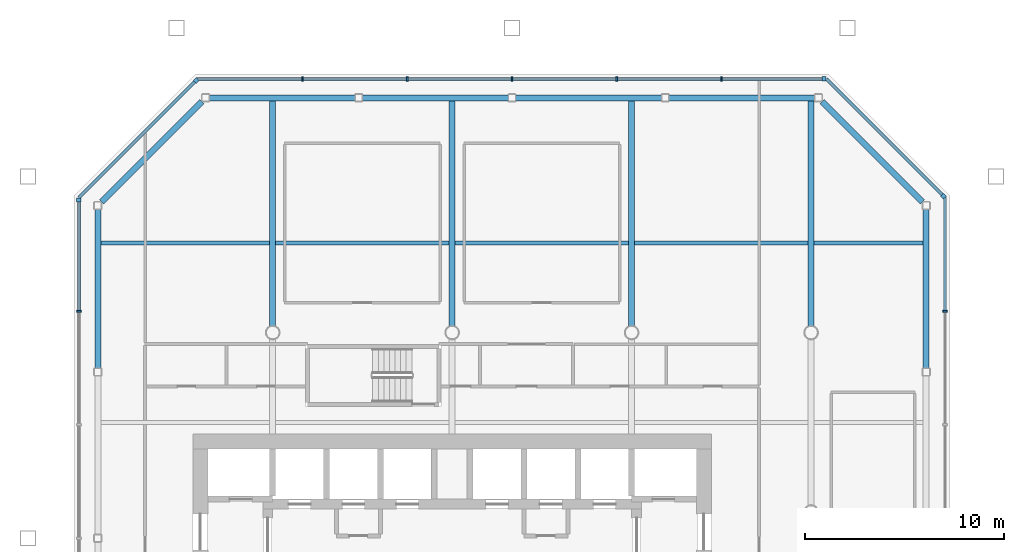
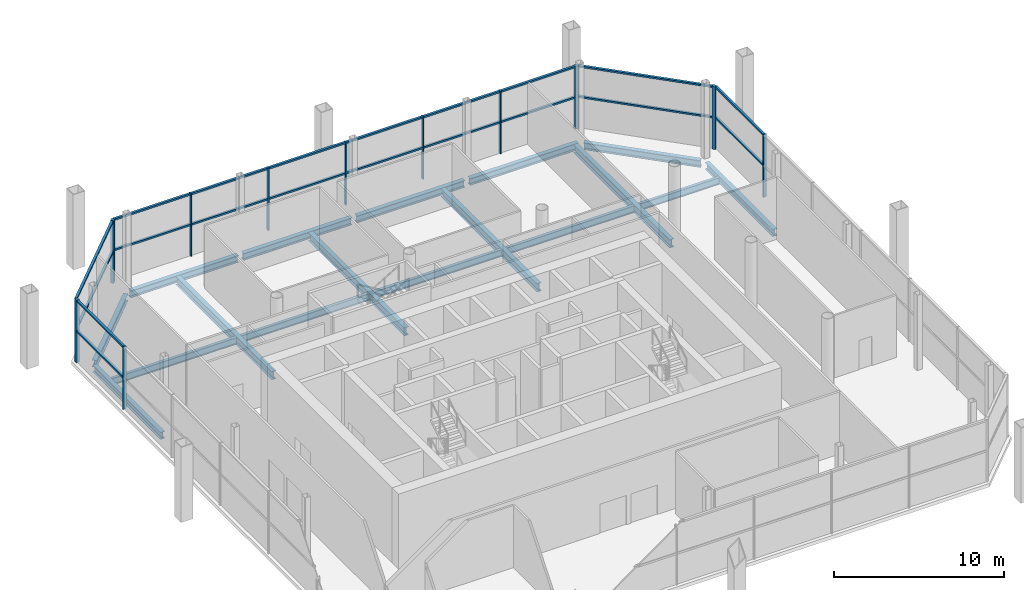
# One storey, part 5 of 12: 31 members, 17 beams, 5 elements without a shape of their own.
"""IFC4 building model written with IfcOpenShell, lengths in metres."""

from ifc_helpers import new_model, si_unit, direction, frame, origin, origin_2d, place, context, subcontext, project, spatial, rectangle, i_section, extrude, material, material_profile, profile_set, type_object, element, aggregate, save


model = new_model("IFC4")

# Units and contexts
model_context = context("Model", 3, precision=1e-05, world=origin(), true_north=direction((0.0, 1.0)))
body_context = subcontext(model_context, "Body", "Model", "MODEL_VIEW")
ifc_project = project(units=[si_unit("LENGTHUNIT", "METRE"), si_unit("AREAUNIT", "SQUARE_METRE"), si_unit("VOLUMEUNIT", "CUBIC_METRE"), si_unit("PLANEANGLEUNIT", "RADIAN"), si_unit("MASSUNIT", "GRAM", prefix="KILO")], contexts=[model_context])

# Site, building, storey
site_placement = place(None, origin())
site = spatial("IfcSite", under=ifc_project, at=site_placement, CompositionType="ELEMENT")
building_placement = place(site_placement, origin())
building = spatial("IfcBuilding", under=site, at=building_placement, Name="Tskaro Facet Tower", CompositionType="ELEMENT")
storey_placement = place(building_placement, frame((0.0, 0.0, 162.300048828125)))
storey = spatial("IfcBuildingStorey", under=building, at=storey_placement, Name="L40", CompositionType="ELEMENT", Elevation=162.300048828125)

# Curtain wall, member
ifc_material_1 = material(Name="Bronze anodised aluminium 6063-T6", Category="aluminium")
curtain_wall_type = type_object("IfcCurtainWallType", Name="Bronze sky lobby curtain wall (FW4)", PredefinedType="NOTDEFINED", material=ifc_material_1)
curtain_wall_1_placement = place(storey_placement, origin())
curtain_wall_1 = element("IfcCurtainWall", 1, at=curtain_wall_1_placement, inside=storey, type_object=curtain_wall_type, Name="FW4 north-east facet L40", PredefinedType="NOTDEFINED")
ifc_material_profile_1 = material_profile(ifc_material_1, rectangle(XDim=0.219970703125, YDim=0.219970703125, at=origin_2d()), Name="Corner post 220x220")
ifc_profile_set_1 = profile_set([ifc_material_profile_1], Name="Bronze anodised aluminium 6063-T6")
member_type_1 = type_object("IfcMemberType", Name="FW4 bronze corner post 220x220", PredefinedType="MULLION", material=ifc_profile_set_1)
member_1_placement = place(storey_placement, frame((24.646240234375, 15.8388671875, 0.0), z_axis=(0.0, 0.0, 1.0), x_axis=(-0.707106781187, 0.707106781187, 0.0)))
member_1 = element("IfcMember", 2, at=member_1_placement, type_object=member_type_1, Name="FW4 north-east corner post", PredefinedType="MULLION", context=body_context, shape_type="SweptSolid", body=[
    extrude(rectangle(XDim=0.219970703125, YDim=0.219970703125, at=origin_2d()), origin(), (0.0, 0.0, 1.0), 4.489990234375),
])

curtain_wall_2_placement = place(storey_placement, origin())
curtain_wall_2 = element("IfcCurtainWall", 3, at=curtain_wall_2_placement, inside=storey, type_object=curtain_wall_type, Name="FW4 north facet L40", PredefinedType="NOTDEFINED")
member_2_placement = place(storey_placement, frame((18.65087890625, 21.72412109375, 0.0), z_axis=(0.0, 0.0, 1.0), x_axis=(-1.0, 0.0, 0.0)))
member_2 = element("IfcMember", 4, at=member_2_placement, type_object=member_type_1, Name="FW4 north corner post", PredefinedType="MULLION", context=body_context, shape_type="SweptSolid", body=[
    extrude(rectangle(XDim=0.219970703125, YDim=0.219970703125, at=origin_2d()), origin(), (0.0, 0.0, 1.0), 4.489990234375),
])

curtain_wall_3_placement = place(storey_placement, origin())
curtain_wall_3 = element("IfcCurtainWall", 5, at=curtain_wall_3_placement, inside=storey, type_object=curtain_wall_type, Name="FW4 north-west facet L40", PredefinedType="NOTDEFINED")
member_3_placement = place(storey_placement, frame((-12.8388671875, 21.646240234375, 0.0), z_axis=(0.0, 0.0, 1.0), x_axis=(-0.707106781187, -0.707106781187, 0.0)))
member_3 = element("IfcMember", 6, at=member_3_placement, type_object=member_type_1, Name="FW4 north-west corner post", PredefinedType="MULLION", context=body_context, shape_type="SweptSolid", body=[
    extrude(rectangle(XDim=0.219970703125, YDim=0.219970703125, at=origin_2d()), origin(), (0.0, 0.0, 1.0), 4.489990234375),
])

curtain_wall_4_placement = place(storey_placement, origin())
curtain_wall_4 = element("IfcCurtainWall", 7, at=curtain_wall_4_placement, inside=storey, type_object=curtain_wall_type, Name="FW4 west facet L40", PredefinedType="NOTDEFINED")
member_4_placement = place(storey_placement, frame((-18.72412109375, 15.65087890625, 0.0), z_axis=(0.0, 0.0, 1.0), x_axis=(0.0, -1.0, 0.0)))
member_4 = element("IfcMember", 8, at=member_4_placement, type_object=member_type_1, Name="FW4 west corner post", PredefinedType="MULLION", context=body_context, shape_type="SweptSolid", body=[
    extrude(rectangle(XDim=0.219970703125, YDim=0.219970703125, at=origin_2d()), origin(), (0.0, 0.0, 1.0), 4.489990234375),
])

curtain_wall_5_placement = place(storey_placement, origin())
curtain_wall_5 = element("IfcCurtainWall", 9, at=curtain_wall_5_placement, inside=storey, type_object=curtain_wall_type, Name="FW4 east facet L40", PredefinedType="NOTDEFINED")
ifc_material_profile_2 = material_profile(ifc_material_1, rectangle(XDim=0.080078125, YDim=0.219970703125, at=origin_2d()), Name="Mullion 80x220")
ifc_profile_set_2 = profile_set([ifc_material_profile_2], Name="Bronze anodised aluminium 6063-T6")
member_type_2 = type_object("IfcMemberType", Name="FW4 bronze mullion 80x220", PredefinedType="MULLION", material=ifc_profile_set_2)
member_5_placement = place(storey_placement, frame((24.72412109375, 10.06884765625, 0.0), z_axis=(0.0, 0.0, 1.0), x_axis=(0.0, 1.0, 0.0)))
member_5 = element("IfcMember", 10, at=member_5_placement, type_object=member_type_2, Name="FW4 east mullion 5", PredefinedType="MULLION", context=body_context, shape_type="SweptSolid", body=[
    extrude(rectangle(XDim=0.080078125, YDim=0.219970703125, at=origin_2d()), origin(), (0.0, 0.0, 1.0), 4.489990234375),
])

# Member
member_6_placement = place(storey_placement, frame((13.50732421875, 21.72412109375, 0.0), z_axis=(0.0, 0.0, 1.0), x_axis=(-1.0, 0.0, 0.0)))
member_6 = element("IfcMember", 11, at=member_6_placement, type_object=member_type_2, Name="FW4 north mullion 1", PredefinedType="MULLION", context=body_context, shape_type="SweptSolid", body=[
    extrude(rectangle(XDim=0.080078125, YDim=0.219970703125, at=origin_2d()), origin(), (0.0, 0.0, 1.0), 4.489990234375),
])

member_7_placement = place(storey_placement, frame((8.253662109375, 21.72412109375, 0.0), z_axis=(0.0, 0.0, 1.0), x_axis=(-1.0, 0.0, 0.0)))
member_7 = element("IfcMember", 12, at=member_7_placement, type_object=member_type_2, Name="FW4 north mullion 2", PredefinedType="MULLION", context=body_context, shape_type="SweptSolid", body=[
    extrude(rectangle(XDim=0.080078125, YDim=0.219970703125, at=origin_2d()), origin(), (0.0, 0.0, 1.0), 4.489990234375),
])

member_8_placement = place(storey_placement, frame((3.0, 21.72412109375, 0.0), z_axis=(0.0, 0.0, 1.0), x_axis=(-1.0, 0.0, 0.0)))
member_8 = element("IfcMember", 13, at=member_8_placement, type_object=member_type_2, Name="FW4 north mullion 3", PredefinedType="MULLION", context=body_context, shape_type="SweptSolid", body=[
    extrude(rectangle(XDim=0.080078125, YDim=0.219970703125, at=origin_2d()), origin(), (0.0, 0.0, 1.0), 4.489990234375),
])

member_9_placement = place(storey_placement, frame((-2.253662109375, 21.72412109375, 0.0), z_axis=(0.0, 0.0, 1.0), x_axis=(-1.0, 0.0, 0.0)))
member_9 = element("IfcMember", 14, at=member_9_placement, type_object=member_type_2, Name="FW4 north mullion 4", PredefinedType="MULLION", context=body_context, shape_type="SweptSolid", body=[
    extrude(rectangle(XDim=0.080078125, YDim=0.219970703125, at=origin_2d()), origin(), (0.0, 0.0, 1.0), 4.489990234375),
])

member_10_placement = place(storey_placement, frame((-7.50732421875, 21.72412109375, 0.0), z_axis=(0.0, 0.0, 1.0), x_axis=(-1.0, 0.0, 0.0)))
member_10 = element("IfcMember", 15, at=member_10_placement, type_object=member_type_2, Name="FW4 north mullion 5", PredefinedType="MULLION", context=body_context, shape_type="SweptSolid", body=[
    extrude(rectangle(XDim=0.080078125, YDim=0.219970703125, at=origin_2d()), origin(), (0.0, 0.0, 1.0), 4.489990234375),
])

member_11_placement = place(storey_placement, frame((-18.72412109375, 10.06884765625, 0.0), z_axis=(0.0, 0.0, 1.0), x_axis=(0.0, -1.0, 0.0)))
member_11 = element("IfcMember", 16, at=member_11_placement, type_object=member_type_2, Name="FW4 west mullion 1", PredefinedType="MULLION", context=body_context, shape_type="SweptSolid", body=[
    extrude(rectangle(XDim=0.080078125, YDim=0.219970703125, at=origin_2d()), origin(), (0.0, 0.0, 1.0), 4.489990234375),
])

ifc_material_profile_3 = material_profile(ifc_material_1, rectangle(XDim=0.159912109375, YDim=0.1201171875, at=origin_2d()), Name="Transom 160x120")
ifc_profile_set_3 = profile_set([ifc_material_profile_3], Name="Bronze anodised aluminium 6063-T6")
member_type_3 = type_object("IfcMemberType", Name="FW4 bronze transom 160x120", PredefinedType="USERDEFINED", material=ifc_profile_set_3)
member_12_placement = place(storey_placement, frame((24.72412109375, 10.10888671875, 2.244873046875), z_axis=(0.0, 1.0, 0.0), x_axis=(-1.0, 0.0, 0.0)))
member_12 = element("IfcMember", 17, at=member_12_placement, type_object=member_type_3, Name="FW4 east transom 6.1", ObjectType="TRANSOM", PredefinedType="USERDEFINED", context=body_context, shape_type="SweptSolid", body=[
    extrude(rectangle(XDim=0.159912109375, YDim=0.1201171875, at=origin_2d()), origin(), (0.0, 0.0, 1.0), 5.652099609375),
])

member_13_placement = place(storey_placement, frame((24.72412109375, 10.10888671875, 4.429931640625), z_axis=(0.0, 1.0, 0.0), x_axis=(-1.0, 0.0, 0.0)))
member_13 = element("IfcMember", 18, at=member_13_placement, type_object=member_type_3, Name="FW4 east transom 6.2", ObjectType="TRANSOM", PredefinedType="USERDEFINED", context=body_context, shape_type="SweptSolid", body=[
    extrude(rectangle(XDim=0.159912109375, YDim=0.1201171875, at=origin_2d()), origin(), (0.0, 0.0, 1.0), 5.652099609375),
])

aggregate(curtain_wall_5, [member_5, member_12, member_13])

member_14_placement = place(storey_placement, frame((24.568359375, 15.91650390625, 2.244873046875), z_axis=(-0.70709191804, 0.707121644021, 0.0), x_axis=(-0.707121644021, -0.70709191804, 0.0)))
member_14 = element("IfcMember", 19, at=member_14_placement, type_object=member_type_3, Name="FW4 north-east transom 1.1", ObjectType="TRANSOM", PredefinedType="USERDEFINED", context=body_context, shape_type="SweptSolid", body=[
    extrude(rectangle(XDim=0.159912109375, YDim=0.1201171875, at=origin_2d()), origin(), (0.0, 0.0, 1.0), 8.213134765625),
])

member_15_placement = place(storey_placement, frame((24.568359375, 15.91650390625, 4.429931640625), z_axis=(-0.70709191804, 0.707121644021, 0.0), x_axis=(-0.707121644021, -0.70709191804, 0.0)))
member_15 = element("IfcMember", 20, at=member_15_placement, type_object=member_type_3, Name="FW4 north-east transom 1.2", ObjectType="TRANSOM", PredefinedType="USERDEFINED", context=body_context, shape_type="SweptSolid", body=[
    extrude(rectangle(XDim=0.159912109375, YDim=0.1201171875, at=origin_2d()), origin(), (0.0, 0.0, 1.0), 8.213134765625),
])

aggregate(curtain_wall_1, [member_1, member_14, member_15])

member_16_placement = place(storey_placement, frame((18.541015625, 21.72412109375, 2.244873046875), z_axis=(-1.0, 0.0, 0.0), x_axis=(0.0, -1.0, 0.0)))
member_16 = element("IfcMember", 21, at=member_16_placement, type_object=member_type_3, Name="FW4 north transom 1.1", ObjectType="TRANSOM", PredefinedType="USERDEFINED", context=body_context, shape_type="SweptSolid", body=[
    extrude(rectangle(XDim=0.159912109375, YDim=0.1201171875, at=origin_2d()), origin(), (0.0, 0.0, 1.0), 4.99365234375),
])

member_17_placement = place(storey_placement, frame((18.541015625, 21.72412109375, 4.429931640625), z_axis=(-1.0, 0.0, 0.0), x_axis=(0.0, -1.0, 0.0)))
member_17 = element("IfcMember", 22, at=member_17_placement, type_object=member_type_3, Name="FW4 north transom 1.2", ObjectType="TRANSOM", PredefinedType="USERDEFINED", context=body_context, shape_type="SweptSolid", body=[
    extrude(rectangle(XDim=0.159912109375, YDim=0.1201171875, at=origin_2d()), origin(), (0.0, 0.0, 1.0), 4.99365234375),
])

member_18_placement = place(storey_placement, frame((13.46728515625, 21.72412109375, 2.244873046875), z_axis=(-1.0, 0.0, 0.0), x_axis=(0.0, -1.0, 0.0)))
member_18 = element("IfcMember", 23, at=member_18_placement, type_object=member_type_3, Name="FW4 north transom 2.1", ObjectType="TRANSOM", PredefinedType="USERDEFINED", context=body_context, shape_type="SweptSolid", body=[
    extrude(rectangle(XDim=0.159912109375, YDim=0.1201171875, at=origin_2d()), origin(), (0.0, 0.0, 1.0), 5.173583984375),
])

member_19_placement = place(storey_placement, frame((13.46728515625, 21.72412109375, 4.429931640625), z_axis=(-1.0, 0.0, 0.0), x_axis=(0.0, -1.0, 0.0)))
member_19 = element("IfcMember", 24, at=member_19_placement, type_object=member_type_3, Name="FW4 north transom 2.2", ObjectType="TRANSOM", PredefinedType="USERDEFINED", context=body_context, shape_type="SweptSolid", body=[
    extrude(rectangle(XDim=0.159912109375, YDim=0.1201171875, at=origin_2d()), origin(), (0.0, 0.0, 1.0), 5.173583984375),
])

member_20_placement = place(storey_placement, frame((8.213623046875, 21.72412109375, 2.244873046875), z_axis=(-1.0, 0.0, 0.0), x_axis=(0.0, -1.0, 0.0)))
member_20 = element("IfcMember", 25, at=member_20_placement, type_object=member_type_3, Name="FW4 north transom 3.1", ObjectType="TRANSOM", PredefinedType="USERDEFINED", context=body_context, shape_type="SweptSolid", body=[
    extrude(rectangle(XDim=0.159912109375, YDim=0.1201171875, at=origin_2d()), origin(), (0.0, 0.0, 1.0), 5.173583984375),
])

member_21_placement = place(storey_placement, frame((8.213623046875, 21.72412109375, 4.429931640625), z_axis=(-1.0, 0.0, 0.0), x_axis=(0.0, -1.0, 0.0)))
member_21 = element("IfcMember", 26, at=member_21_placement, type_object=member_type_3, Name="FW4 north transom 3.2", ObjectType="TRANSOM", PredefinedType="USERDEFINED", context=body_context, shape_type="SweptSolid", body=[
    extrude(rectangle(XDim=0.159912109375, YDim=0.1201171875, at=origin_2d()), origin(), (0.0, 0.0, 1.0), 5.173583984375),
])

member_22_placement = place(storey_placement, frame((2.9599609375, 21.72412109375, 2.244873046875), z_axis=(-1.0, 0.0, 0.0), x_axis=(0.0, -1.0, 0.0)))
member_22 = element("IfcMember", 27, at=member_22_placement, type_object=member_type_3, Name="FW4 north transom 4.1", ObjectType="TRANSOM", PredefinedType="USERDEFINED", context=body_context, shape_type="SweptSolid", body=[
    extrude(rectangle(XDim=0.159912109375, YDim=0.1201171875, at=origin_2d()), origin(), (0.0, 0.0, 1.0), 5.173583984375),
])

member_23_placement = place(storey_placement, frame((2.9599609375, 21.72412109375, 4.429931640625), z_axis=(-1.0, 0.0, 0.0), x_axis=(0.0, -1.0, 0.0)))
member_23 = element("IfcMember", 28, at=member_23_placement, type_object=member_type_3, Name="FW4 north transom 4.2", ObjectType="TRANSOM", PredefinedType="USERDEFINED", context=body_context, shape_type="SweptSolid", body=[
    extrude(rectangle(XDim=0.159912109375, YDim=0.1201171875, at=origin_2d()), origin(), (0.0, 0.0, 1.0), 5.173583984375),
])

member_24_placement = place(storey_placement, frame((-2.293701171875, 21.72412109375, 2.244873046875), z_axis=(-1.0, 0.0, 0.0), x_axis=(0.0, -1.0, 0.0)))
member_24 = element("IfcMember", 29, at=member_24_placement, type_object=member_type_3, Name="FW4 north transom 5.1", ObjectType="TRANSOM", PredefinedType="USERDEFINED", context=body_context, shape_type="SweptSolid", body=[
    extrude(rectangle(XDim=0.159912109375, YDim=0.1201171875, at=origin_2d()), origin(), (0.0, 0.0, 1.0), 5.173583984375),
])

member_25_placement = place(storey_placement, frame((-2.293701171875, 21.72412109375, 4.429931640625), z_axis=(-1.0, 0.0, 0.0), x_axis=(0.0, -1.0, 0.0)))
member_25 = element("IfcMember", 30, at=member_25_placement, type_object=member_type_3, Name="FW4 north transom 5.2", ObjectType="TRANSOM", PredefinedType="USERDEFINED", context=body_context, shape_type="SweptSolid", body=[
    extrude(rectangle(XDim=0.159912109375, YDim=0.1201171875, at=origin_2d()), origin(), (0.0, 0.0, 1.0), 5.173583984375),
])

member_26_placement = place(storey_placement, frame((-7.54736328125, 21.72412109375, 2.244873046875), z_axis=(-1.0, 0.0, 0.0), x_axis=(0.0, -1.0, 0.0)))
member_26 = element("IfcMember", 31, at=member_26_placement, type_object=member_type_3, Name="FW4 north transom 6.1", ObjectType="TRANSOM", PredefinedType="USERDEFINED", context=body_context, shape_type="SweptSolid", body=[
    extrude(rectangle(XDim=0.159912109375, YDim=0.1201171875, at=origin_2d()), origin(), (0.0, 0.0, 1.0), 5.213623046875),
])

member_27_placement = place(storey_placement, frame((-7.54736328125, 21.72412109375, 4.429931640625), z_axis=(-1.0, 0.0, 0.0), x_axis=(0.0, -1.0, 0.0)))
member_27 = element("IfcMember", 32, at=member_27_placement, type_object=member_type_3, Name="FW4 north transom 6.2", ObjectType="TRANSOM", PredefinedType="USERDEFINED", context=body_context, shape_type="SweptSolid", body=[
    extrude(rectangle(XDim=0.159912109375, YDim=0.1201171875, at=origin_2d()), origin(), (0.0, 0.0, 1.0), 5.213623046875),
])

aggregate(curtain_wall_2, [member_2, member_6, member_7, member_8, member_9, member_10, member_16, member_17, member_18, member_19, member_20, member_21, member_22, member_23, member_24, member_25, member_26, member_27])

member_28_placement = place(storey_placement, frame((-12.91650390625, 21.568359375, 2.244873046875), z_axis=(-0.707121644021, -0.70709191804, 0.0), x_axis=(0.70709191804, -0.707121644021, 0.0)))
member_28 = element("IfcMember", 33, at=member_28_placement, type_object=member_type_3, Name="FW4 north-west transom 1.1", ObjectType="TRANSOM", PredefinedType="USERDEFINED", context=body_context, shape_type="SweptSolid", body=[
    extrude(rectangle(XDim=0.159912109375, YDim=0.1201171875, at=origin_2d()), origin(), (0.0, 0.0, 1.0), 8.213134765625),
])

member_29_placement = place(storey_placement, frame((-12.91650390625, 21.568359375, 4.429931640625), z_axis=(-0.707121644021, -0.70709191804, 0.0), x_axis=(0.70709191804, -0.707121644021, 0.0)))
member_29 = element("IfcMember", 34, at=member_29_placement, type_object=member_type_3, Name="FW4 north-west transom 1.2", ObjectType="TRANSOM", PredefinedType="USERDEFINED", context=body_context, shape_type="SweptSolid", body=[
    extrude(rectangle(XDim=0.159912109375, YDim=0.1201171875, at=origin_2d()), origin(), (0.0, 0.0, 1.0), 8.213134765625),
])

aggregate(curtain_wall_3, [member_3, member_28, member_29])

member_30_placement = place(storey_placement, frame((-18.72412109375, 15.541015625, 2.244873046875), z_axis=(0.0, -1.0, 0.0), x_axis=(1.0, 0.0, 0.0)))
member_30 = element("IfcMember", 35, at=member_30_placement, type_object=member_type_3, Name="FW4 west transom 1.1", ObjectType="TRANSOM", PredefinedType="USERDEFINED", context=body_context, shape_type="SweptSolid", body=[
    extrude(rectangle(XDim=0.159912109375, YDim=0.1201171875, at=origin_2d()), origin(), (0.0, 0.0, 1.0), 5.43212890625),
])

member_31_placement = place(storey_placement, frame((-18.72412109375, 15.541015625, 4.429931640625), z_axis=(0.0, -1.0, 0.0), x_axis=(1.0, 0.0, 0.0)))
member_31 = element("IfcMember", 36, at=member_31_placement, type_object=member_type_3, Name="FW4 west transom 1.2", ObjectType="TRANSOM", PredefinedType="USERDEFINED", context=body_context, shape_type="SweptSolid", body=[
    extrude(rectangle(XDim=0.159912109375, YDim=0.1201171875, at=origin_2d()), origin(), (0.0, 0.0, 1.0), 5.43212890625),
])

aggregate(curtain_wall_4, [member_4, member_11, member_30, member_31])

# Beams
ifc_material_2 = material(Name="Steel S355J2", Category="steel")
ifc_material_profile_4 = material_profile(ifc_material_2, i_section(OverallWidth=0.300048828125, OverallDepth=0.5, WebThickness=0.014404296875, FlangeThickness=0.028076171875, FilletRadius=0.027099609375, at=origin_2d()), Name="HE 500 B")
ifc_profile_set_4 = profile_set([ifc_material_profile_4], Name="Steel S355J2")
beam_type_1 = type_object("IfcBeamType", Name="HE 500 B ring beam", PredefinedType="BEAM", material=ifc_profile_set_4)
beam_1_placement = place(storey_placement, frame((23.77392578125, 7.2060546875, -0.5), z_axis=(0.0, 1.0, 0.0), x_axis=(-1.0, 0.0, 0.0)))
element("IfcBeam", 37, at=beam_1_placement, inside=storey, type_object=beam_type_1, Name="HE 500 B EB9-3", PredefinedType="BEAM", context=body_context, shape_type="SweptSolid", body=[
    extrude(i_section(OverallWidth=0.300048828125, OverallDepth=0.5, WebThickness=0.014404296875, FlangeThickness=0.028076171875, FilletRadius=0.027099609375, at=origin_2d()), origin(), (0.0, 0.0, 1.0), 7.98193359375),
])
beam_2_placement = place(storey_placement, frame((23.588134765625, 15.553955078125, -0.5), z_axis=(-0.707106781187, 0.707106781187, 0.0), x_axis=(-0.707106781187, -0.707106781187, 0.0)))
element("IfcBeam", 38, at=beam_2_placement, inside=storey, type_object=beam_type_1, Name="HE 500 B EB10-3", PredefinedType="BEAM", context=body_context, shape_type="SweptSolid", body=[
    extrude(i_section(OverallWidth=0.300048828125, OverallDepth=0.5, WebThickness=0.014404296875, FlangeThickness=0.028076171875, FilletRadius=0.027099609375, at=origin_2d()), origin(), (0.0, 0.0, 1.0), 7.119384765625),
])
for number, where, z_axis, x_axis, name in (
    (39, (18.18798828125, 20.77392578125, -0.5), (-1.0, 0.0, 0.0), (0.0, -1.0, 0.0), "HE 500 B EB11-3"),
    (40, (10.50390625, 20.77392578125, -0.5), (-1.0, 0.0, 0.0), (0.0, -1.0, 0.0), "HE 500 B EB12-3"),
    (41, (2.820068359375, 20.77392578125, -0.5), (-1.0, 0.0, 0.0), (0.0, -1.0, 0.0), "HE 500 B EB13-3"),
    (42, (-4.864013671875, 20.77392578125, -0.5), (-1.0, 0.0, 0.0), (0.0, -1.0, 0.0), "HE 500 B EB14-3"),
):
    element("IfcBeam", number, at=place(storey_placement, frame(where, z_axis=z_axis, x_axis=x_axis)), inside=storey, type_object=beam_type_1, Name=name, PredefinedType="BEAM", context=body_context, shape_type="SweptSolid", body=[
        extrude(i_section(OverallWidth=0.300048828125, OverallDepth=0.5, WebThickness=0.014404296875, FlangeThickness=0.028076171875, FilletRadius=0.027099609375, at=origin_2d()), origin(), (0.0, 0.0, 1.0), 7.323974609375),
    ])
beam_3_placement = place(storey_placement, frame((-12.553955078125, 20.588134765625, -0.5), z_axis=(-0.707106781187, -0.707106781187, 0.0), x_axis=(0.707106781187, -0.707106781187, 0.0)))
element("IfcBeam", 43, at=beam_3_placement, inside=storey, type_object=beam_type_1, Name="HE 500 B EB15-3", PredefinedType="BEAM", context=body_context, shape_type="SweptSolid", body=[
    extrude(i_section(OverallWidth=0.300048828125, OverallDepth=0.5, WebThickness=0.014404296875, FlangeThickness=0.028076171875, FilletRadius=0.027099609375, at=origin_2d()), origin(), (0.0, 0.0, 1.0), 7.119384765625),
])
beam_4_placement = place(storey_placement, frame((-17.77392578125, 15.18798828125, -0.5), z_axis=(0.0, -1.0, 0.0), x_axis=(1.0, 0.0, 0.0)))
element("IfcBeam", 44, at=beam_4_placement, inside=storey, type_object=beam_type_1, Name="HE 500 B EB16-3", PredefinedType="BEAM", context=body_context, shape_type="SweptSolid", body=[
    extrude(i_section(OverallWidth=0.300048828125, OverallDepth=0.5, WebThickness=0.014404296875, FlangeThickness=0.028076171875, FilletRadius=0.027099609375, at=origin_2d()), origin(), (0.0, 0.0, 1.0), 7.98193359375),
])
ifc_material_profile_5 = material_profile(ifc_material_2, i_section(OverallWidth=0.300048828125, OverallDepth=0.590087890625, WebThickness=0.012939453125, FlangeThickness=0.02490234375, FilletRadius=0.027099609375, at=origin_2d()), Name="HE 600 A")
ifc_profile_set_5 = profile_set([ifc_material_profile_5], Name="Steel S355J2")
beam_type_2 = type_object("IfcBeamType", Name="HE 600 A girder", PredefinedType="BEAM", material=ifc_profile_set_5)
for number, where, z_axis, x_axis, name in (
    (45, (-9.0, 9.325439453125, -0.545166015625), (0.0, 1.0, 0.0), (-1.0, 0.0, 0.0), "HE 600 A GB3-3-3"),
    (46, (0.0, 9.325439453125, -0.545166015625), (0.0, 1.0, 0.0), (-1.0, 0.0, 0.0), "HE 600 A GB4-3-3"),
    (47, (9.0, 9.325439453125, -0.545166015625), (0.0, 1.0, 0.0), (-1.0, 0.0, 0.0), "HE 600 A GB5-3-3"),
    (48, (18.0, 9.325439453125, -0.545166015625), (0.0, 1.0, 0.0), (-1.0, 0.0, 0.0), "HE 600 A GB6-4-3"),
):
    element("IfcBeam", number, at=place(storey_placement, frame(where, z_axis=z_axis, x_axis=x_axis)), inside=storey, type_object=beam_type_2, Name=name, PredefinedType="BEAM", context=body_context, shape_type="SweptSolid", body=[
        extrude(i_section(OverallWidth=0.300048828125, OverallDepth=0.590087890625, WebThickness=0.012939453125, FlangeThickness=0.02490234375, FilletRadius=0.027099609375, at=origin_2d()), origin(), (0.0, 0.0, 1.0), 11.298583984375),
    ])
ifc_material_profile_6 = material_profile(ifc_material_2, i_section(OverallWidth=0.199951171875, OverallDepth=0.5, WebThickness=0.01025390625, FlangeThickness=0.01611328125, FilletRadius=0.02099609375, at=origin_2d()), Name="IPE 500")
ifc_profile_set_6 = profile_set([ifc_material_profile_6], Name="Steel S355J2")
beam_type_3 = type_object("IfcBeamType", Name="IPE 500 secondary beam", PredefinedType="BEAM", material=ifc_profile_set_6)
beam_5_placement = place(storey_placement, frame((-17.6240234375, 13.5, -0.5), z_axis=(1.0, 0.0, 0.0), x_axis=(0.0, 1.0, 0.0)))
element("IfcBeam", 49, at=beam_5_placement, inside=storey, type_object=beam_type_3, Name="IPE 500 SB5a-1-3", PredefinedType="BEAM", context=body_context, shape_type="SweptSolid", body=[
    extrude(i_section(OverallWidth=0.199951171875, OverallDepth=0.5, WebThickness=0.01025390625, FlangeThickness=0.01611328125, FilletRadius=0.02099609375, at=origin_2d()), origin(), (0.0, 0.0, 1.0), 8.47412109375),
])
for number, where, z_axis, x_axis, name in (
    (50, (-8.85009765625, 13.5, -0.5), (1.0, 0.0, 0.0), (0.0, 1.0, 0.0), "IPE 500 SB5a-2-3"),
    (51, (0.14990234375, 13.5, -0.5), (1.0, 0.0, 0.0), (0.0, 1.0, 0.0), "IPE 500 SB5a-3-3"),
    (52, (9.14990234375, 13.5, -0.5), (1.0, 0.0, 0.0), (0.0, 1.0, 0.0), "IPE 500 SB5a-4-3"),
):
    element("IfcBeam", number, at=place(storey_placement, frame(where, z_axis=z_axis, x_axis=x_axis)), inside=storey, type_object=beam_type_3, Name=name, PredefinedType="BEAM", context=body_context, shape_type="SweptSolid", body=[
        extrude(i_section(OverallWidth=0.199951171875, OverallDepth=0.5, WebThickness=0.01025390625, FlangeThickness=0.01611328125, FilletRadius=0.02099609375, at=origin_2d()), origin(), (0.0, 0.0, 1.0), 8.7001953125),
    ])
beam_6_placement = place(storey_placement, frame((18.14990234375, 13.5, -0.5), z_axis=(1.0, 0.0, 0.0), x_axis=(0.0, 1.0, 0.0)))
element("IfcBeam", 53, at=beam_6_placement, inside=storey, type_object=beam_type_3, Name="IPE 500 SB5a-5-3", PredefinedType="BEAM", context=body_context, shape_type="SweptSolid", body=[
    extrude(i_section(OverallWidth=0.199951171875, OverallDepth=0.5, WebThickness=0.01025390625, FlangeThickness=0.01611328125, FilletRadius=0.02099609375, at=origin_2d()), origin(), (0.0, 0.0, 1.0), 5.47412109375),
])

save(model, "model.ifc")
